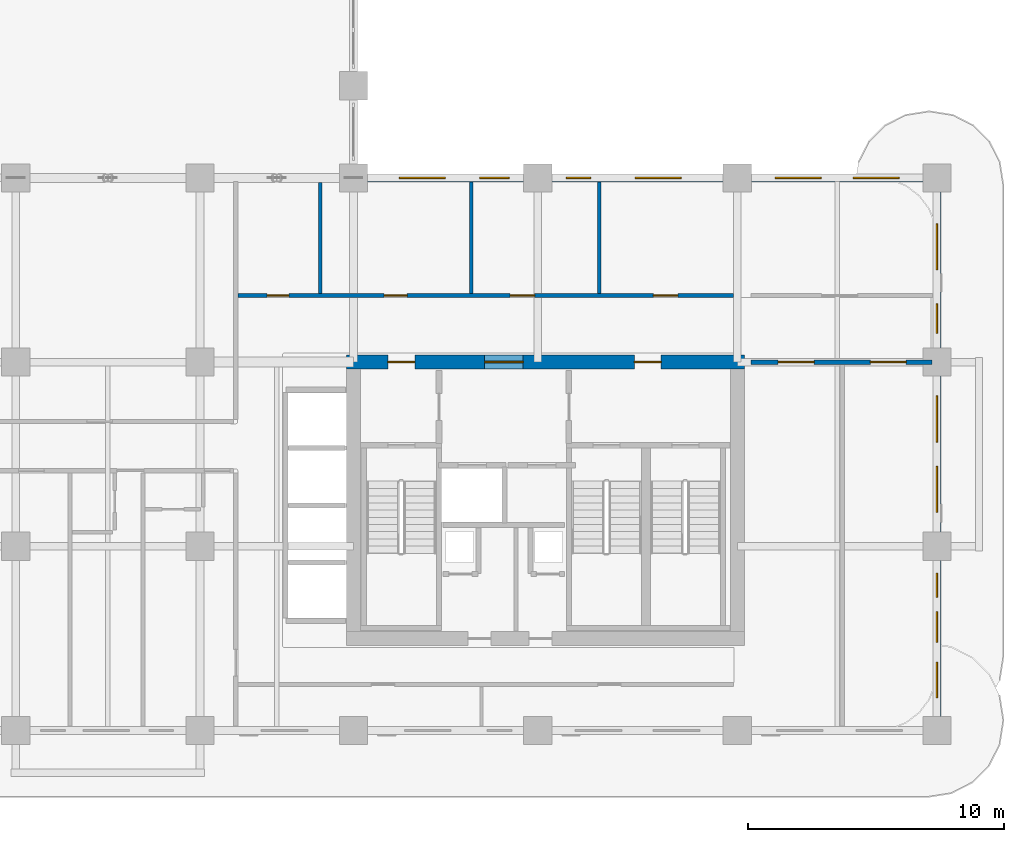
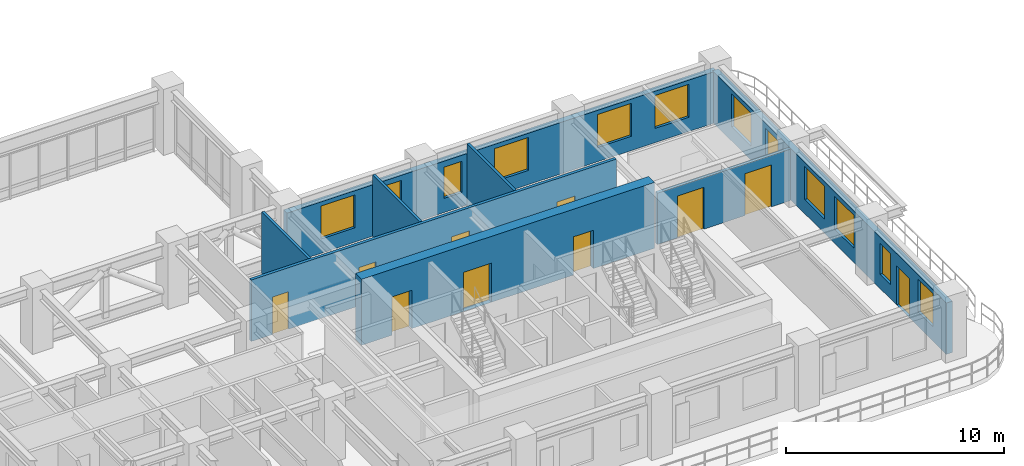
# One storey, part 14 of 21: 12 windows, 10 doors, 8 walls, 22 openings.
"""IFC4 building model written with IfcOpenShell, lengths in metres."""

from ifc_helpers import new_model, si_unit, derived_unit, direction, frame, frame_2d, origin, place, context, subcontext, project, spatial, rectangle, extrude, source, transform, mapped, material, layer, layer_set, type_object, type_shapes, element, fill, save


model = new_model("IFC4")

# Units and contexts
model_context = context("Model", 3, precision=1e-05, world=origin(), true_north=direction((0.0, 1.0)))
body_context = subcontext(model_context, "Body", "Model", "MODEL_VIEW")
ifc_project = project(units=[si_unit("LENGTHUNIT", "METRE"), si_unit("AREAUNIT", "SQUARE_METRE"), si_unit("VOLUMEUNIT", "CUBIC_METRE"), si_unit("PLANEANGLEUNIT", "RADIAN"), si_unit("MASSUNIT", "GRAM", prefix="KILO"), si_unit("THERMODYNAMICTEMPERATUREUNIT", "KELVIN"), si_unit("POWERUNIT", "WATT"), derived_unit("THERMALTRANSMITTANCEUNIT", [(si_unit("POWERUNIT", "WATT"), 1), (si_unit("AREAUNIT", "SQUARE_METRE"), -1), (si_unit("THERMODYNAMICTEMPERATUREUNIT", "KELVIN"), -1)])], contexts=[model_context])

# Site, building, storey
site_placement = place(None, origin())
site = spatial("IfcSite", under=ifc_project, at=site_placement, CompositionType="ELEMENT")
building_placement = place(site_placement, origin())
building = spatial("IfcBuilding", under=site, at=building_placement, Name="Zahravan Archway Hotel and Residences", CompositionType="ELEMENT")
storey_placement = place(building_placement, frame((0.0, 0.0, 69.39990234375)))
storey = spatial("IfcBuildingStorey", under=building, at=storey_placement, Name="L16", CompositionType="ELEMENT", Elevation=69.39990234375)

# Wall, openings, doors
ifc_material_1 = material(Name="Concrete C70/85", Category="concrete")
ifc_layer_1 = layer(ifc_material_1, 0.550048828125, Name="Concrete C70/85", Category="concrete")
ifc_layer_set_1 = layer_set([ifc_layer_1], Name="Concrete C70/85")
wall_type_1 = type_object("IfcWallType", Name="CW-CORE-550", PredefinedType="SHEAR", material=ifc_layer_set_1)
wall_1_placement = place(storey_placement, frame((34.52490234375, 14.39990234375, 0.0), z_axis=(0.0, 0.0, 1.0), x_axis=(1.0, 0.0, 0.0)))
wall_1 = element("IfcWall", 1, at=wall_1_placement, inside=storey, type_object=wall_type_1, Name="L16 Core A Shear N Wall 550 mm", PredefinedType="SHEAR", context=body_context, shape_type="SweptSolid", body=[
    extrude(rectangle(XDim=15.550048828125, YDim=0.550048828125, at=frame_2d((7.77490234375, 0.0))), origin(), (0.0, 0.0, 1.0), 3.7001953125),
])
opening_1_placement = place(wall_1_placement, frame((5.405029296875, 0.0, 0.0)))
opening_1 = element("IfcOpeningElement", 2, at=opening_1_placement, cuts=wall_1, Name="Opening FD-L1", PredefinedType="OPENING", context=body_context, shape_type="SweptSolid", body=[
    extrude(rectangle(XDim=1.5, YDim=2.199951171875, at=frame_2d((0.75, 1.10009765625))), frame((0.0, 0.28515625, 0.0), z_axis=(0.0, -1.0, 0.0), x_axis=(1.0, 0.0, 0.0)), (0.0, 0.0, 1.0), 0.570068359375),
])
opening_2_placement = place(wall_1_placement, frame((1.6201171875, 0.0, 0.0)))
opening_2 = element("IfcOpeningElement", 3, at=opening_2_placement, cuts=wall_1, Name="Opening FD-L2", PredefinedType="OPENING", context=body_context, shape_type="SweptSolid", body=[
    extrude(rectangle(XDim=1.050048828125, YDim=2.14990234375, at=frame_2d((0.52490234375, 1.074951171875))), frame((0.0, 0.28515625, 0.0), z_axis=(0.0, -1.0, 0.0), x_axis=(1.0, 0.0, 0.0)), (0.0, 0.0, 1.0), 0.570068359375),
])
opening_3_placement = place(wall_1_placement, frame((11.25, 0.0, 0.0)))
opening_3 = element("IfcOpeningElement", 4, at=opening_3_placement, cuts=wall_1, Name="Opening FD-L2", PredefinedType="OPENING", context=body_context, shape_type="SweptSolid", body=[
    extrude(rectangle(XDim=1.050048828125, YDim=2.14990234375, at=frame_2d((0.52490234375, 1.074951171875))), frame((0.0, 0.28515625, 0.0), z_axis=(0.0, -1.0, 0.0), x_axis=(1.0, 0.0, 0.0)), (0.0, 0.0, 1.0), 0.570068359375),
])
ifc_material_2 = material(Name="Fire-Rated Painted Steel", Category="steel")
door_type_1 = type_object("IfcDoorType", Name="FD-LOBBY-1100", OperationType="NOTDEFINED", PredefinedType="DOOR", material=ifc_material_2)
shared_shape_1 = source(origin(), body_context, "Body", "SweptSolid", [
    extrude(rectangle(XDim=1.050048828125, YDim=2.14990234375, at=frame_2d((0.52490234375, 1.074951171875))), frame((0.0, 0.02490234375, 0.0), z_axis=(0.0, -1.0, 0.0), x_axis=(1.0, 0.0, 0.0)), (0.0, 0.0, 1.0), 0.050048828125),
])
type_shapes(door_type_1, [shared_shape_1])
door_1_placement = place(opening_2_placement, origin())
door_1 = element("IfcDoor", 5, at=door_1_placement, inside=storey, type_object=door_type_1, Name="L16 Core A West Stair Lobby Door", OperationType="SINGLE_SWING_RIGHT", OverallHeight=2.14990234375, OverallWidth=1.050048828125, PredefinedType="DOOR", context=body_context, shape_type="MappedRepresentation", body=[
    mapped(shared_shape_1, transform((0.0, 0.0, 0.0), scale=1.0)),
])
fill(opening_2, door_1)
door_2_placement = place(opening_3_placement, origin())
door_2 = element("IfcDoor", 6, at=door_2_placement, inside=storey, type_object=door_type_1, Name="L16 Core A East Stair Lobby Door", OperationType="SINGLE_SWING_LEFT", OverallHeight=2.14990234375, OverallWidth=1.050048828125, PredefinedType="DOOR", context=body_context, shape_type="MappedRepresentation", body=[
    mapped(shared_shape_1, transform((0.0, 0.0, 0.0), scale=1.0)),
])
fill(opening_3, door_2)
door_type_2 = type_object("IfcDoorType", Name="FD-LOBBY-1500", OperationType="DOUBLE_DOOR_SINGLE_SWING", PredefinedType="DOOR", material=ifc_material_2)
shared_shape_2 = source(origin(), body_context, "Body", "SweptSolid", [
    extrude(rectangle(XDim=1.5, YDim=2.199951171875, at=frame_2d((0.75, 1.10009765625))), frame((0.0, 0.02490234375, 0.0), z_axis=(0.0, -1.0, 0.0), x_axis=(1.0, 0.0, 0.0)), (0.0, 0.0, 1.0), 0.050048828125),
])
type_shapes(door_type_2, [shared_shape_2])
door_3_placement = place(opening_1_placement, origin())
door_3 = element("IfcDoor", 7, at=door_3_placement, inside=storey, type_object=door_type_2, Name="L16 Core A FSAE Lobby Main Door", OperationType="DOUBLE_DOOR_SINGLE_SWING", OverallHeight=2.199951171875, OverallWidth=1.5, PredefinedType="DOOR", context=body_context, shape_type="MappedRepresentation", body=[
    mapped(shared_shape_2, transform((0.0, 0.0, 0.0), scale=1.0)),
])
fill(opening_1, door_3)

# Wall, openings, door, windows
ifc_material_3 = material(Name="Agra Buff Sandstone & Insulated Backup", Category="masonry")
ifc_layer_2 = layer(ifc_material_3, 0.320068359375, Name="Agra Buff Sandstone & Insulated Backup", Category="masonry")
ifc_layer_set_2 = layer_set([ifc_layer_2], Name="Agra Buff Sandstone & Insulated Backup")
wall_type_2 = type_object("IfcWallType", Name="EW-SAND-320", PredefinedType="SOLIDWALL", material=ifc_layer_set_2)
wall_2_placement = place(storey_placement, frame((57.60009765625, 0.050048828125, 0.0), z_axis=(0.0, 0.0, 1.0), x_axis=(0.0, 1.0, 0.0)))
wall_2 = element("IfcWall", 8, at=wall_2_placement, inside=storey, type_object=wall_type_2, Name="L16 Exterior Sandstone Wall WA-E", PredefinedType="SOLIDWALL", context=body_context, shape_type="SweptSolid", body=[
    extrude(rectangle(XDim=21.5, YDim=0.320068359375, at=frame_2d((10.75, 0.0))), origin(), (0.0, 0.0, 1.0), 2.885009765625),
])
opening_4_placement = place(wall_2_placement, frame((3.39990234375, 0.0, 0.0)))
opening_4 = element("IfcOpeningElement", 9, at=opening_4_placement, cuts=wall_2, Name="Opening ED-BL1", PredefinedType="OPENING", context=body_context, shape_type="SweptSolid", body=[
    extrude(rectangle(XDim=1.199951171875, YDim=2.199951171875, at=frame_2d((0.60009765625, 1.10009765625))), frame((0.0, 0.169921875, 0.0), z_axis=(0.0, -1.0, 0.0), x_axis=(1.0, 0.0, 0.0)), (0.0, 0.0, 1.0), 0.340087890625),
])
opening_5_placement = place(wall_2_placement, frame((1.22509765625, 0.0, 0.800048828125)))
opening_5 = element("IfcOpeningElement", 10, at=opening_5_placement, cuts=wall_2, Name="Opening W-03", PredefinedType="OPENING", context=body_context, shape_type="SweptSolid", body=[
    extrude(rectangle(XDim=1.39990234375, YDim=1.85009765625, at=frame_2d((0.699951171875, 0.925048828125))), frame((0.0, 0.169921875, 0.0), z_axis=(0.0, -1.0, 0.0), x_axis=(1.0, 0.0, 0.0)), (0.0, 0.0, 1.0), 0.340087890625),
])
opening_6_placement = place(wall_2_placement, frame((5.14990234375, 0.0, 0.800048828125)))
opening_6 = element("IfcOpeningElement", 11, at=opening_6_placement, cuts=wall_2, Name="Opening W-04", PredefinedType="OPENING", context=body_context, shape_type="SweptSolid", body=[
    extrude(rectangle(XDim=0.949951171875, YDim=1.75, at=frame_2d((0.47509765625, 0.875))), frame((0.0, 0.169921875, 0.0), z_axis=(0.0, -1.0, 0.0), x_axis=(1.0, 0.0, 0.0)), (0.0, 0.0, 1.0), 0.340087890625),
])
opening_7_placement = place(wall_2_placement, frame((8.47509765625, 0.0, 0.800048828125)))
opening_7 = element("IfcOpeningElement", 12, at=opening_7_placement, cuts=wall_2, Name="Opening W-02", PredefinedType="OPENING", context=body_context, shape_type="SweptSolid", body=[
    extrude(rectangle(XDim=1.800048828125, YDim=1.85009765625, at=frame_2d((0.89990234375, 0.925048828125))), frame((0.0, 0.169921875, 0.0), z_axis=(0.0, -1.0, 0.0), x_axis=(1.0, 0.0, 0.0)), (0.0, 0.0, 1.0), 0.340087890625),
])
opening_8_placement = place(wall_2_placement, frame((11.22509765625, 0.0, 0.800048828125)))
opening_8 = element("IfcOpeningElement", 13, at=opening_8_placement, cuts=wall_2, Name="Opening W-02", PredefinedType="OPENING", context=body_context, shape_type="SweptSolid", body=[
    extrude(rectangle(XDim=1.800048828125, YDim=1.85009765625, at=frame_2d((0.89990234375, 0.925048828125))), frame((0.0, 0.169921875, 0.0), z_axis=(0.0, -1.0, 0.0), x_axis=(1.0, 0.0, 0.0)), (0.0, 0.0, 1.0), 0.340087890625),
])
opening_9_placement = place(wall_2_placement, frame((15.470947265625, 0.0, 0.800048828125)))
opening_9 = element("IfcOpeningElement", 14, at=opening_9_placement, cuts=wall_2, Name="Opening W-05", PredefinedType="OPENING", context=body_context, shape_type="SweptSolid", body=[
    extrude(rectangle(XDim=1.14990234375, YDim=1.800048828125, at=frame_2d((0.574951171875, 0.89990234375))), frame((0.0, 0.169921875, 0.0), z_axis=(0.0, -1.0, 0.0), x_axis=(1.0, 0.0, 0.0)), (0.0, 0.0, 1.0), 0.340087890625),
])
opening_10_placement = place(wall_2_placement, frame((17.9541015625, 0.0, 0.800048828125)))
opening_10 = element("IfcOpeningElement", 15, at=opening_10_placement, cuts=wall_2, Name="Opening W-02", PredefinedType="OPENING", context=body_context, shape_type="SweptSolid", body=[
    extrude(rectangle(XDim=1.800048828125, YDim=1.85009765625, at=frame_2d((0.89990234375, 0.925048828125))), frame((0.0, 0.169921875, 0.0), z_axis=(0.0, -1.0, 0.0), x_axis=(1.0, 0.0, 0.0)), (0.0, 0.0, 1.0), 0.340087890625),
])
ifc_material_4 = material(Name="Bronze-Anodized Glazed Aluminium", Category="aluminium")
door_type_3 = type_object("IfcDoorType", Name="ED-BALC-1200", OperationType="SLIDING_TO_LEFT", PredefinedType="DOOR", material=ifc_material_4)
shared_shape_3 = source(origin(), body_context, "Body", "SweptSolid", [
    extrude(rectangle(XDim=1.199951171875, YDim=2.199951171875, at=frame_2d((0.60009765625, 1.10009765625))), frame((0.0, 0.02490234375, 0.0), z_axis=(0.0, -1.0, 0.0), x_axis=(1.0, 0.0, 0.0)), (0.0, 0.0, 1.0), 0.050048828125),
])
type_shapes(door_type_3, [shared_shape_3])
door_4_placement = place(opening_4_placement, origin())
door_4 = element("IfcDoor", 16, at=door_4_placement, inside=storey, type_object=door_type_3, Name="L16 Outdoor Access Sliding Door (SLB-BAL-L16-EA)", OperationType="SLIDING_TO_LEFT", OverallHeight=2.199951171875, OverallWidth=1.199951171875, PredefinedType="DOOR", context=body_context, shape_type="MappedRepresentation", body=[
    mapped(shared_shape_3, transform((0.0, 0.0, 0.0), scale=1.0)),
])
fill(opening_4, door_4)
ifc_material_5 = material(Name="Bronze-Anodized Thermal-Break Aluminium & Low-E Glass", Category="aluminium")
window_type_1 = type_object("IfcWindowType", Name="WIN-TWR-1400", PartitioningType="SINGLE_PANEL", PredefinedType="WINDOW", material=ifc_material_5)
shared_shape_4 = source(origin(), body_context, "Body", "SweptSolid", [
    extrude(rectangle(XDim=1.39990234375, YDim=1.85009765625, at=frame_2d((0.699951171875, 0.925048828125))), frame((0.0, 0.030029296875, 0.0), z_axis=(0.0, -1.0, 0.0), x_axis=(1.0, 0.0, 0.0)), (0.0, 0.0, 1.0), 0.06005859375),
])
type_shapes(window_type_1, [shared_shape_4])
window_1_placement = place(opening_5_placement, origin())
window_1 = element("IfcWindow", 17, at=window_1_placement, inside=storey, type_object=window_type_1, Name="L16 Loggia Window 13", OverallHeight=1.85009765625, OverallWidth=1.39990234375, PartitioningType="SINGLE_PANEL", PredefinedType="WINDOW", context=body_context, shape_type="MappedRepresentation", body=[
    mapped(shared_shape_4, transform((0.0, 0.0, 0.0), scale=1.0)),
])
fill(opening_5, window_1)
window_type_2 = type_object("IfcWindowType", Name="WIN-NAR-950", PartitioningType="SINGLE_PANEL", PredefinedType="WINDOW", material=ifc_material_5)
shared_shape_5 = source(origin(), body_context, "Body", "SweptSolid", [
    extrude(rectangle(XDim=0.949951171875, YDim=1.75, at=frame_2d((0.47509765625, 0.875))), frame((0.0, 0.030029296875, 0.0), z_axis=(0.0, -1.0, 0.0), x_axis=(1.0, 0.0, 0.0)), (0.0, 0.0, 1.0), 0.06005859375),
])
type_shapes(window_type_2, [shared_shape_5])
window_2_placement = place(opening_6_placement, origin())
window_2 = element("IfcWindow", 18, at=window_2_placement, inside=storey, type_object=window_type_2, Name="L16 Loggia Window 14", OverallHeight=1.75, OverallWidth=0.949951171875, PartitioningType="SINGLE_PANEL", PredefinedType="WINDOW", context=body_context, shape_type="MappedRepresentation", body=[
    mapped(shared_shape_5, transform((0.0, 0.0, 0.0), scale=1.0)),
])
fill(opening_6, window_2)
window_type_3 = type_object("IfcWindowType", Name="WIN-TWR-1800", PartitioningType="DOUBLE_PANEL_VERTICAL", PredefinedType="WINDOW", material=ifc_material_5)
shared_shape_6 = source(origin(), body_context, "Body", "SweptSolid", [
    extrude(rectangle(XDim=1.800048828125, YDim=1.85009765625, at=frame_2d((0.89990234375, 0.925048828125))), frame((0.0, 0.030029296875, 0.0), z_axis=(0.0, -1.0, 0.0), x_axis=(1.0, 0.0, 0.0)), (0.0, 0.0, 1.0), 0.06005859375),
])
type_shapes(window_type_3, [shared_shape_6])
window_3_placement = place(opening_7_placement, origin())
window_3 = element("IfcWindow", 19, at=window_3_placement, inside=storey, type_object=window_type_3, Name="L16 Loggia Window 15", OverallHeight=1.85009765625, OverallWidth=1.800048828125, PartitioningType="DOUBLE_PANEL_VERTICAL", PredefinedType="WINDOW", context=body_context, shape_type="MappedRepresentation", body=[
    mapped(shared_shape_6, transform((0.0, 0.0, 0.0), scale=1.0)),
])
fill(opening_7, window_3)
window_4_placement = place(opening_8_placement, origin())
window_4 = element("IfcWindow", 20, at=window_4_placement, inside=storey, type_object=window_type_3, Name="L16 Loggia Window 16", OverallHeight=1.85009765625, OverallWidth=1.800048828125, PartitioningType="DOUBLE_PANEL_VERTICAL", PredefinedType="WINDOW", context=body_context, shape_type="MappedRepresentation", body=[
    mapped(shared_shape_6, transform((0.0, 0.0, 0.0), scale=1.0)),
])
fill(opening_8, window_4)
window_5_placement = place(opening_10_placement, origin())
window_5 = element("IfcWindow", 21, at=window_5_placement, inside=storey, type_object=window_type_3, Name="L16 Loggia Window 18", OverallHeight=1.85009765625, OverallWidth=1.800048828125, PartitioningType="DOUBLE_PANEL_VERTICAL", PredefinedType="WINDOW", context=body_context, shape_type="MappedRepresentation", body=[
    mapped(shared_shape_6, transform((0.0, 0.0, 0.0), scale=1.0)),
])
fill(opening_10, window_5)
window_type_4 = type_object("IfcWindowType", Name="WIN-TWR-1150", PartitioningType="SINGLE_PANEL", PredefinedType="WINDOW", material=ifc_material_5)
shared_shape_7 = source(origin(), body_context, "Body", "SweptSolid", [
    extrude(rectangle(XDim=1.14990234375, YDim=1.800048828125, at=frame_2d((0.574951171875, 0.89990234375))), frame((0.0, 0.030029296875, 0.0), z_axis=(0.0, -1.0, 0.0), x_axis=(1.0, 0.0, 0.0)), (0.0, 0.0, 1.0), 0.06005859375),
])
type_shapes(window_type_4, [shared_shape_7])
window_6_placement = place(opening_9_placement, origin())
window_6 = element("IfcWindow", 22, at=window_6_placement, inside=storey, type_object=window_type_4, Name="L16 Loggia Window 17", OverallHeight=1.800048828125, OverallWidth=1.14990234375, PartitioningType="SINGLE_PANEL", PredefinedType="WINDOW", context=body_context, shape_type="MappedRepresentation", body=[
    mapped(shared_shape_7, transform((0.0, 0.0, 0.0), scale=1.0)),
])
fill(opening_9, window_6)

# Wall, openings, windows
wall_3_placement = place(storey_placement, frame((34.800048828125, 21.60009765625, 0.0), z_axis=(0.0, 0.0, 1.0), x_axis=(1.0, 0.0, 0.0)))
wall_3 = element("IfcWall", 23, at=wall_3_placement, inside=storey, type_object=wall_type_2, Name="L16 Exterior Sandstone Wall WA-NE", PredefinedType="SOLIDWALL", context=body_context, shape_type="SweptSolid", body=[
    extrude(rectangle(XDim=22.800048828125, YDim=0.320068359375, at=frame_2d((11.39990234375, 0.0))), origin(), (0.0, 0.0, 1.0), 2.885009765625),
])
opening_11_placement = place(wall_3_placement, frame((1.7958984375, 0.0, 0.800048828125)))
opening_11 = element("IfcOpeningElement", 24, at=opening_11_placement, cuts=wall_3, Name="Opening W-02", PredefinedType="OPENING", context=body_context, shape_type="SweptSolid", body=[
    extrude(rectangle(XDim=1.800048828125, YDim=1.85009765625, at=frame_2d((0.89990234375, 0.925048828125))), frame((0.0, 0.169921875, 0.0), z_axis=(0.0, -1.0, 0.0), x_axis=(1.0, 0.0, 0.0)), (0.0, 0.0, 1.0), 0.340087890625),
])
opening_12_placement = place(wall_3_placement, frame((4.928955078125, 0.0, 0.800048828125)))
opening_12 = element("IfcOpeningElement", 25, at=opening_12_placement, cuts=wall_3, Name="Opening W-05", PredefinedType="OPENING", context=body_context, shape_type="SweptSolid", body=[
    extrude(rectangle(XDim=1.14990234375, YDim=1.800048828125, at=frame_2d((0.574951171875, 0.89990234375))), frame((0.0, 0.169921875, 0.0), z_axis=(0.0, -1.0, 0.0), x_axis=(1.0, 0.0, 0.0)), (0.0, 0.0, 1.0), 0.340087890625),
])
opening_13_placement = place(wall_3_placement, frame((8.321044921875, 0.0, 0.800048828125)))
opening_13 = element("IfcOpeningElement", 26, at=opening_13_placement, cuts=wall_3, Name="Opening W-04", PredefinedType="OPENING", context=body_context, shape_type="SweptSolid", body=[
    extrude(rectangle(XDim=0.949951171875, YDim=1.75, at=frame_2d((0.47509765625, 0.875))), frame((0.0, 0.169921875, 0.0), z_axis=(0.0, -1.0, 0.0), x_axis=(1.0, 0.0, 0.0)), (0.0, 0.0, 1.0), 0.340087890625),
])
opening_14_placement = place(wall_3_placement, frame((11.00390625, 0.0, 0.800048828125)))
opening_14 = element("IfcOpeningElement", 27, at=opening_14_placement, cuts=wall_3, Name="Opening W-02", PredefinedType="OPENING", context=body_context, shape_type="SweptSolid", body=[
    extrude(rectangle(XDim=1.800048828125, YDim=1.85009765625, at=frame_2d((0.89990234375, 0.925048828125))), frame((0.0, 0.169921875, 0.0), z_axis=(0.0, -1.0, 0.0), x_axis=(1.0, 0.0, 0.0)), (0.0, 0.0, 1.0), 0.340087890625),
])
opening_15_placement = place(wall_3_placement, frame((16.47509765625, 0.0, 0.800048828125)))
opening_15 = element("IfcOpeningElement", 28, at=opening_15_placement, cuts=wall_3, Name="Opening W-02", PredefinedType="OPENING", context=body_context, shape_type="SweptSolid", body=[
    extrude(rectangle(XDim=1.800048828125, YDim=1.85009765625, at=frame_2d((0.89990234375, 0.925048828125))), frame((0.0, 0.169921875, 0.0), z_axis=(0.0, -1.0, 0.0), x_axis=(1.0, 0.0, 0.0)), (0.0, 0.0, 1.0), 0.340087890625),
])
opening_16_placement = place(wall_3_placement, frame((19.52490234375, 0.0, 0.800048828125)))
opening_16 = element("IfcOpeningElement", 29, at=opening_16_placement, cuts=wall_3, Name="Opening W-02", PredefinedType="OPENING", context=body_context, shape_type="SweptSolid", body=[
    extrude(rectangle(XDim=1.800048828125, YDim=1.85009765625, at=frame_2d((0.89990234375, 0.925048828125))), frame((0.0, 0.169921875, 0.0), z_axis=(0.0, -1.0, 0.0), x_axis=(1.0, 0.0, 0.0)), (0.0, 0.0, 1.0), 0.340087890625),
])
window_7_placement = place(opening_13_placement, origin())
window_7 = element("IfcWindow", 30, at=window_7_placement, inside=storey, type_object=window_type_2, Name="L16 Loggia Window 21", OverallHeight=1.75, OverallWidth=0.949951171875, PartitioningType="SINGLE_PANEL", PredefinedType="WINDOW", context=body_context, shape_type="MappedRepresentation", body=[
    mapped(shared_shape_5, transform((0.0, 0.0, 0.0), scale=1.0)),
])
fill(opening_13, window_7)
window_8_placement = place(opening_11_placement, origin())
window_8 = element("IfcWindow", 31, at=window_8_placement, inside=storey, type_object=window_type_3, Name="L16 Loggia Window 19", OverallHeight=1.85009765625, OverallWidth=1.800048828125, PartitioningType="DOUBLE_PANEL_VERTICAL", PredefinedType="WINDOW", context=body_context, shape_type="MappedRepresentation", body=[
    mapped(shared_shape_6, transform((0.0, 0.0, 0.0), scale=1.0)),
])
fill(opening_11, window_8)
window_9_placement = place(opening_14_placement, origin())
window_9 = element("IfcWindow", 32, at=window_9_placement, inside=storey, type_object=window_type_3, Name="L16 Loggia Window 22", OverallHeight=1.85009765625, OverallWidth=1.800048828125, PartitioningType="DOUBLE_PANEL_VERTICAL", PredefinedType="WINDOW", context=body_context, shape_type="MappedRepresentation", body=[
    mapped(shared_shape_6, transform((0.0, 0.0, 0.0), scale=1.0)),
])
fill(opening_14, window_9)
window_10_placement = place(opening_15_placement, origin())
window_10 = element("IfcWindow", 33, at=window_10_placement, inside=storey, type_object=window_type_3, Name="L16 Loggia Window 23", OverallHeight=1.85009765625, OverallWidth=1.800048828125, PartitioningType="DOUBLE_PANEL_VERTICAL", PredefinedType="WINDOW", context=body_context, shape_type="MappedRepresentation", body=[
    mapped(shared_shape_6, transform((0.0, 0.0, 0.0), scale=1.0)),
])
fill(opening_15, window_10)
window_11_placement = place(opening_16_placement, origin())
window_11 = element("IfcWindow", 34, at=window_11_placement, inside=storey, type_object=window_type_3, Name="L16 Loggia Window 24", OverallHeight=1.85009765625, OverallWidth=1.800048828125, PartitioningType="DOUBLE_PANEL_VERTICAL", PredefinedType="WINDOW", context=body_context, shape_type="MappedRepresentation", body=[
    mapped(shared_shape_6, transform((0.0, 0.0, 0.0), scale=1.0)),
])
fill(opening_16, window_11)
window_12_placement = place(opening_12_placement, origin())
window_12 = element("IfcWindow", 35, at=window_12_placement, inside=storey, type_object=window_type_4, Name="L16 Loggia Window 20", OverallHeight=1.800048828125, OverallWidth=1.14990234375, PartitioningType="SINGLE_PANEL", PredefinedType="WINDOW", context=body_context, shape_type="MappedRepresentation", body=[
    mapped(shared_shape_7, transform((0.0, 0.0, 0.0), scale=1.0)),
])
fill(opening_12, window_12)

# Wall, openings, doors
ifc_material_6 = material(Name="Fire-Rated Gypsum & Concrete Block", Category="concrete")
ifc_layer_3 = layer(ifc_material_6, 0.159912109375, Name="Fire-Rated Gypsum & Concrete Block", Category="concrete")
ifc_layer_set_3 = layer_set([ifc_layer_3], Name="Fire-Rated Gypsum & Concrete Block")
wall_type_3 = type_object("IfcWallType", Name="PW-CORR-160", PredefinedType="PARTITIONING", material=ifc_layer_set_3)
wall_4_placement = place(storey_placement, frame((30.2900390625, 17.0, 0.0), z_axis=(0.0, 0.0, 1.0), x_axis=(1.0, 0.0, 0.0)))
wall_4 = element("IfcWall", 36, at=wall_4_placement, inside=storey, type_object=wall_type_3, Name="L16 Partition WA-FN", PredefinedType="PARTITIONING", context=body_context, shape_type="SweptSolid", body=[
    extrude(rectangle(XDim=19.369873046875, YDim=0.159912109375, at=frame_2d((9.68505859375, 0.0))), origin(), (0.0, 0.0, 1.0), 3.4501953125),
])
opening_17_placement = place(wall_4_placement, frame((1.135009765625, 0.0, 0.0)))
opening_17 = element("IfcOpeningElement", 37, at=opening_17_placement, cuts=wall_4, Name="Opening D-B1", PredefinedType="OPENING", context=body_context, shape_type="SweptSolid", body=[
    extrude(rectangle(XDim=0.85009765625, YDim=2.10009765625, at=frame_2d((0.425048828125, 1.050048828125))), frame((0.0, 0.08984375, 0.0), z_axis=(0.0, -1.0, 0.0), x_axis=(1.0, 0.0, 0.0)), (0.0, 0.0, 1.0), 0.179931640625),
])
opening_18_placement = place(wall_4_placement, frame((5.7099609375, 0.0, 0.0)))
opening_18 = element("IfcOpeningElement", 38, at=opening_18_placement, cuts=wall_4, Name="Opening D-I2", PredefinedType="OPENING", context=body_context, shape_type="SweptSolid", body=[
    extrude(rectangle(XDim=0.89990234375, YDim=2.14990234375, at=frame_2d((0.449951171875, 1.074951171875))), frame((0.0, 0.08984375, 0.0), z_axis=(0.0, -1.0, 0.0), x_axis=(1.0, 0.0, 0.0)), (0.0, 0.0, 1.0), 0.179931640625),
])
opening_19_placement = place(wall_4_placement, frame((10.635009765625, 0.0, 0.0)))
opening_19 = element("IfcOpeningElement", 39, at=opening_19_placement, cuts=wall_4, Name="Opening D-I1", PredefinedType="OPENING", context=body_context, shape_type="SweptSolid", body=[
    extrude(rectangle(XDim=0.949951171875, YDim=2.14990234375, at=frame_2d((0.47509765625, 1.074951171875))), frame((0.0, 0.08984375, 0.0), z_axis=(0.0, -1.0, 0.0), x_axis=(1.0, 0.0, 0.0)), (0.0, 0.0, 1.0), 0.179931640625),
])
opening_20_placement = place(wall_4_placement, frame((16.235107421875, 0.0, 0.0)))
opening_20 = element("IfcOpeningElement", 40, at=opening_20_placement, cuts=wall_4, Name="Opening D-I1", PredefinedType="OPENING", context=body_context, shape_type="SweptSolid", body=[
    extrude(rectangle(XDim=0.949951171875, YDim=2.14990234375, at=frame_2d((0.47509765625, 1.074951171875))), frame((0.0, 0.08984375, 0.0), z_axis=(0.0, -1.0, 0.0), x_axis=(1.0, 0.0, 0.0)), (0.0, 0.0, 1.0), 0.179931640625),
])
ifc_material_7 = material(Name="Hardwood Veneer Timber", Category="wood")
door_type_4 = type_object("IfcDoorType", Name="ID-BATH-850", OperationType="NOTDEFINED", PredefinedType="DOOR", material=ifc_material_7)
shared_shape_8 = source(origin(), body_context, "Body", "SweptSolid", [
    extrude(rectangle(XDim=0.85009765625, YDim=2.10009765625, at=frame_2d((0.425048828125, 1.050048828125))), frame((0.0, 0.02490234375, 0.0), z_axis=(0.0, -1.0, 0.0), x_axis=(1.0, 0.0, 0.0)), (0.0, 0.0, 1.0), 0.050048828125),
])
type_shapes(door_type_4, [shared_shape_8])
door_5_placement = place(opening_17_placement, origin())
door_5 = element("IfcDoor", 41, at=door_5_placement, inside=storey, type_object=door_type_4, Name="L16 Accessible WC Door", OperationType="SINGLE_SWING_RIGHT", OverallHeight=2.10009765625, OverallWidth=0.85009765625, PredefinedType="DOOR", context=body_context, shape_type="MappedRepresentation", body=[
    mapped(shared_shape_8, transform((0.0, 0.0, 0.0), scale=1.0)),
])
fill(opening_17, door_5)
door_type_5 = type_object("IfcDoorType", Name="ID-INT-950", OperationType="NOTDEFINED", PredefinedType="DOOR", material=ifc_material_7)
shared_shape_9 = source(origin(), body_context, "Body", "SweptSolid", [
    extrude(rectangle(XDim=0.949951171875, YDim=2.14990234375, at=frame_2d((0.47509765625, 1.074951171875))), frame((0.0, 0.02490234375, 0.0), z_axis=(0.0, -1.0, 0.0), x_axis=(1.0, 0.0, 0.0)), (0.0, 0.0, 1.0), 0.050048828125),
])
type_shapes(door_type_5, [shared_shape_9])
door_6_placement = place(opening_19_placement, origin())
door_6 = element("IfcDoor", 42, at=door_6_placement, inside=storey, type_object=door_type_5, Name="L16 Boardroom Door", OperationType="SINGLE_SWING_RIGHT", OverallHeight=2.14990234375, OverallWidth=0.949951171875, PredefinedType="DOOR", context=body_context, shape_type="MappedRepresentation", body=[
    mapped(shared_shape_9, transform((0.0, 0.0, 0.0), scale=1.0)),
])
fill(opening_19, door_6)
door_7_placement = place(opening_20_placement, origin())
door_7 = element("IfcDoor", 43, at=door_7_placement, inside=storey, type_object=door_type_5, Name="L16 Therapy Clinic Door", OperationType="SINGLE_SWING_LEFT", OverallHeight=2.14990234375, OverallWidth=0.949951171875, PredefinedType="DOOR", context=body_context, shape_type="MappedRepresentation", body=[
    mapped(shared_shape_9, transform((0.0, 0.0, 0.0), scale=1.0)),
])
fill(opening_20, door_7)
door_type_6 = type_object("IfcDoorType", Name="ID-INT-900", OperationType="NOTDEFINED", PredefinedType="DOOR", material=ifc_material_7)
shared_shape_10 = source(origin(), body_context, "Body", "SweptSolid", [
    extrude(rectangle(XDim=0.89990234375, YDim=2.14990234375, at=frame_2d((0.449951171875, 1.074951171875))), frame((0.0, 0.02490234375, 0.0), z_axis=(0.0, -1.0, 0.0), x_axis=(1.0, 0.0, 0.0)), (0.0, 0.0, 1.0), 0.050048828125),
])
type_shapes(door_type_6, [shared_shape_10])
door_8_placement = place(opening_18_placement, origin())
door_8 = element("IfcDoor", 44, at=door_8_placement, inside=storey, type_object=door_type_6, Name="L16 Pantry Door", OperationType="SINGLE_SWING_LEFT", OverallHeight=2.14990234375, OverallWidth=0.89990234375, PredefinedType="DOOR", context=body_context, shape_type="MappedRepresentation", body=[
    mapped(shared_shape_10, transform((0.0, 0.0, 0.0), scale=1.0)),
])
fill(opening_18, door_8)

ifc_material_8 = material(Name="Acoustic Stud Partition")
ifc_layer_4 = layer(ifc_material_8, 0.169921875, Name="Acoustic Stud Partition")
ifc_layer_set_4 = layer_set([ifc_layer_4], Name="Acoustic Stud Partition")
wall_type_4 = type_object("IfcWallType", Name="PW-UNIT-170", PredefinedType="PARTITIONING", material=ifc_layer_set_4)
wall_5_placement = place(storey_placement, frame((50.340087890625, 14.39990234375, 0.0), z_axis=(0.0, 0.0, 1.0), x_axis=(1.0, 0.0, 0.0)))
wall_5 = element("IfcWall", 45, at=wall_5_placement, inside=storey, type_object=wall_type_4, Name="L16 Partition EA-PS", PredefinedType="PARTITIONING", context=body_context, shape_type="SweptSolid", body=[
    extrude(rectangle(XDim=7.06982421875, YDim=0.169921875, at=frame_2d((3.534912109375, 0.0))), origin(), (0.0, 0.0, 1.0), 2.885009765625),
])
opening_21_placement = place(wall_5_placement, frame((1.06005859375, 0.0, 0.0)))
opening_21 = element("IfcOpeningElement", 46, at=opening_21_placement, cuts=wall_5, Name="Opening D-P1", PredefinedType="OPENING", context=body_context, shape_type="SweptSolid", body=[
    extrude(rectangle(XDim=1.39990234375, YDim=2.35009765625, at=frame_2d((0.699951171875, 1.175048828125))), frame((0.0, 0.094970703125, 0.0), z_axis=(0.0, -1.0, 0.0), x_axis=(1.0, 0.0, 0.0)), (0.0, 0.0, 1.0), 0.18994140625),
])
opening_22_placement = place(wall_5_placement, frame((4.659912109375, 0.0, 0.0)))
opening_22 = element("IfcOpeningElement", 47, at=opening_22_placement, cuts=wall_5, Name="Opening D-P1", PredefinedType="OPENING", context=body_context, shape_type="SweptSolid", body=[
    extrude(rectangle(XDim=1.39990234375, YDim=2.35009765625, at=frame_2d((0.699951171875, 1.175048828125))), frame((0.0, 0.094970703125, 0.0), z_axis=(0.0, -1.0, 0.0), x_axis=(1.0, 0.0, 0.0)), (0.0, 0.0, 1.0), 0.18994140625),
])
door_type_7 = type_object("IfcDoorType", Name="ID-PUBLIC-1400", OperationType="DOUBLE_DOOR_SINGLE_SWING", PredefinedType="DOOR", material=ifc_material_4)
shared_shape_11 = source(origin(), body_context, "Body", "SweptSolid", [
    extrude(rectangle(XDim=1.39990234375, YDim=2.35009765625, at=frame_2d((0.699951171875, 1.175048828125))), frame((0.0, 0.02490234375, 0.0), z_axis=(0.0, -1.0, 0.0), x_axis=(1.0, 0.0, 0.0)), (0.0, 0.0, 1.0), 0.050048828125),
])
type_shapes(door_type_7, [shared_shape_11])
door_9_placement = place(opening_21_placement, origin())
door_9 = element("IfcDoor", 48, at=door_9_placement, inside=storey, type_object=door_type_7, Name="L16 East Conference Room Door", OperationType="DOUBLE_DOOR_SINGLE_SWING", OverallHeight=2.35009765625, OverallWidth=1.39990234375, PredefinedType="DOOR", context=body_context, shape_type="MappedRepresentation", body=[
    mapped(shared_shape_11, transform((0.0, 0.0, 0.0), scale=1.0)),
])
fill(opening_21, door_9)
door_10_placement = place(opening_22_placement, origin())
door_10 = element("IfcDoor", 49, at=door_10_placement, inside=storey, type_object=door_type_7, Name="L16 East Salon Door", OperationType="DOUBLE_DOOR_SINGLE_SWING", OverallHeight=2.35009765625, OverallWidth=1.39990234375, PredefinedType="DOOR", context=body_context, shape_type="MappedRepresentation", body=[
    mapped(shared_shape_11, transform((0.0, 0.0, 0.0), scale=1.0)),
])
fill(opening_22, door_10)

# Walls
ifc_material_9 = material(Name="Moisture-Resistant Blockwork", Category="masonry")
ifc_layer_5 = layer(ifc_material_9, 0.139892578125, Name="Moisture-Resistant Blockwork", Category="masonry")
ifc_layer_set_5 = layer_set([ifc_layer_5], Name="Moisture-Resistant Blockwork")
wall_type_5 = type_object("IfcWallType", Name="PW-WET-140", PredefinedType="PARTITIONING", material=ifc_layer_set_5)
wall_6_placement = place(storey_placement, frame((33.5, 17.090087890625, 0.0), z_axis=(0.0, 0.0, 1.0), x_axis=(0.0, 1.0, 0.0)))
element("IfcWall", 50, at=wall_6_placement, inside=storey, type_object=wall_type_5, Name="L16 Partition NE2-1", PredefinedType="PARTITIONING", context=body_context, shape_type="SweptSolid", body=[
    extrude(rectangle(XDim=4.31982421875, YDim=0.139892578125, at=frame_2d((2.159912109375, 0.0))), origin(), (0.0, 0.0, 1.0), 3.4501953125),
])
for number, where, z_axis, x_axis, name in (
    (51, (39.39990234375, 17.090087890625, 0.0), (0.0, 0.0, 1.0), (0.0, 1.0, 0.0), "L16 Partition NE2-2"),
    (52, (44.39990234375, 17.090087890625, 0.0), (0.0, 0.0, 1.0), (0.0, 1.0, 0.0), "L16 Partition NE2-3"),
):
    element("IfcWall", number, at=place(storey_placement, frame(where, z_axis=z_axis, x_axis=x_axis)), inside=storey, type_object=wall_type_5, Name=name, PredefinedType="PARTITIONING", context=body_context, shape_type="SweptSolid", body=[
        extrude(rectangle(XDim=4.341796875, YDim=0.139892578125, at=frame_2d((2.1708984375, 0.0))), origin(), (0.0, 0.0, 1.0), 3.4501953125),
    ])

save(model, "model.ifc")
